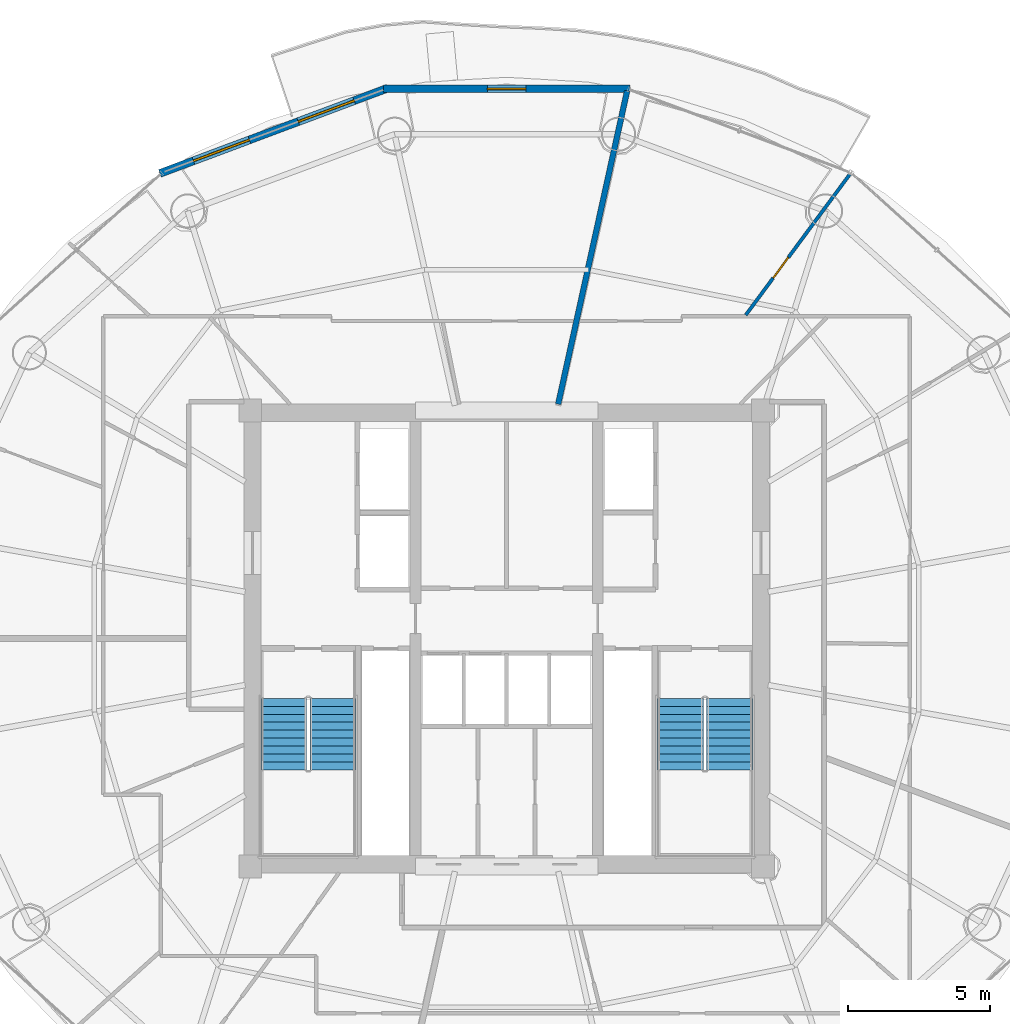
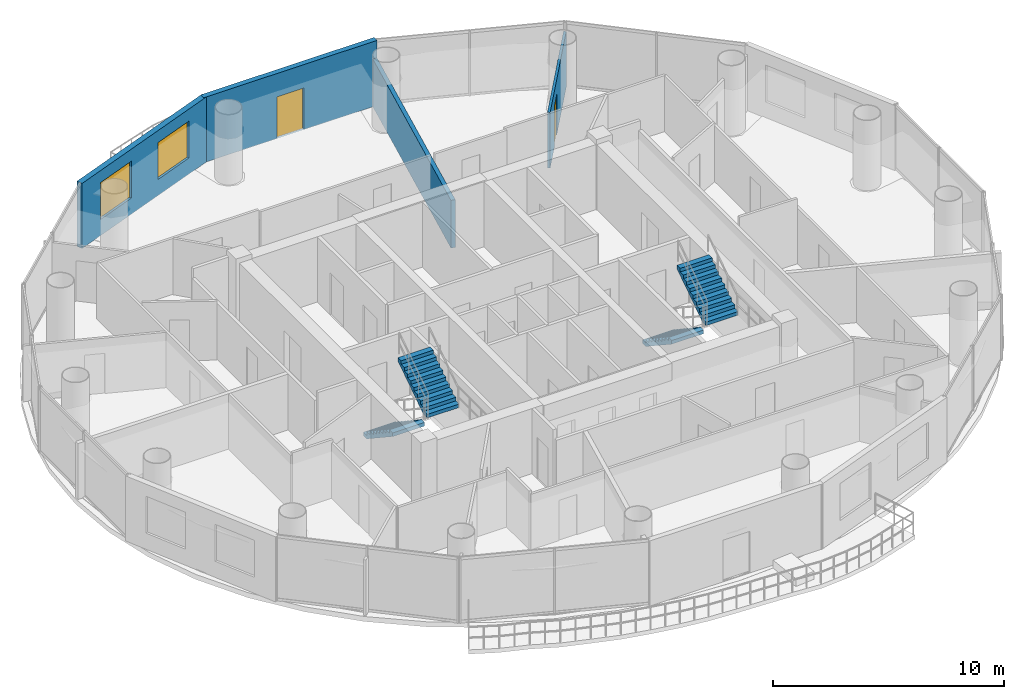
# One storey, part 23 of 26: 4 stair flights, 4 walls, 2 doors, 2 windows, 4 openings, 2 elements without a shape of their own.
"""IFC4 building model written with IfcOpenShell, lengths in metres."""

from ifc_helpers import new_model, si_unit, direction, frame, frame_2d, origin, place, context, subcontext, project, spatial, polyline, rectangle, outline, extrude, source, transform, mapped, material, layer, layer_set, type_object, element, fill, aggregate, save


model = new_model("IFC4")

# Units and contexts
model_context = context("Model", 3, precision=1e-05, world=origin(), true_north=direction((-0.2419218956, 0.970295726276)))
body_context = subcontext(model_context, "Body", "Model", "MODEL_VIEW")
ifc_project = project(units=[si_unit("LENGTHUNIT", "METRE"), si_unit("AREAUNIT", "SQUARE_METRE"), si_unit("VOLUMEUNIT", "CUBIC_METRE"), si_unit("PLANEANGLEUNIT", "RADIAN"), si_unit("MASSUNIT", "GRAM", prefix="KILO")], contexts=[model_context])

# Site, building, storey
site_placement = place(None, origin())
site = spatial("IfcSite", under=ifc_project, at=site_placement, CompositionType="ELEMENT")
building_placement = place(site_placement, origin())
building = spatial("IfcBuilding", under=site, at=building_placement, Name="Cobrevalo Terracotta Tower", CompositionType="ELEMENT")
storey_placement = place(building_placement, frame((0.0, 0.0, 235.60009765625)))
storey = spatial("IfcBuildingStorey", under=building, at=storey_placement, Name="L62", CompositionType="ELEMENT", Elevation=235.60009765625)

# Wall
ifc_material_1 = material(Name="Autoclaved aerated concrete block", Category="concrete")
ifc_layer_1 = layer(ifc_material_1, 0.199951171875)
ifc_layer_set_1 = layer_set([ifc_layer_1], Name="Autoclaved aerated concrete block")
wall_type_1 = type_object("IfcWallType", Name="Fire-rated stair, shaft & demising masonry wall 200 mm", PredefinedType="PARTITIONING", material=ifc_layer_set_1)
wall_1_placement = place(storey_placement, frame((39.810791015625, 35.02685546875, 0.0), z_axis=(0.0, 0.0, 1.0), x_axis=(0.214966857327, 0.976621344356, 0.0)))
element("IfcWall", 1, at=wall_1_placement, inside=storey, type_object=wall_type_1, Name="L62 interior partition IW-L62-DEM-2", PredefinedType="PARTITIONING", context=body_context, shape_type="SweptSolid", body=[
    extrude(rectangle(XDim=11.25830078125, YDim=0.199951171875, at=frame_2d((5.629150390625, 0.0))), origin(), (0.0, 0.0, 1.0), 2.52001953125),
])

# Wall, openings, windows
ifc_layer_2 = layer(ifc_material_1, 0.280029296875)
ifc_layer_set_2 = layer_set([ifc_layer_2], Name="Autoclaved aerated concrete block")
wall_type_2 = type_object("IfcWallType", Name="Insulated tower spandrel & pier wall 280 mm with terracotta rainscreen", PredefinedType="SOLIDWALL", material=ifc_layer_set_2)
wall_2_placement = place(storey_placement, frame((33.827880859375, 46.1201171875, 0.0), z_axis=(0.0, 0.0, 1.0), x_axis=(-0.936556918375, -0.350515532672, 0.0)))
wall_2 = element("IfcWall", 2, at=wall_2_placement, inside=storey, type_object=wall_type_2, Name="L62 terracotta rainscreen pier wall S05", PredefinedType="SOLIDWALL", context=body_context, shape_type="SweptSolid", body=[
    extrude(rectangle(XDim=8.539306640625, YDim=0.280029296875, at=frame_2d((4.26953125, 0.0))), origin(), (0.0, 0.0, 1.0), 3.434814453125),
])
opening_1_placement = place(wall_2_placement, frame((1.255615234375, 0.0, 0.85009765625)))
opening_1 = element("IfcOpeningElement", 3, at=opening_1_placement, cuts=wall_2, Name="Opening WN-10", PredefinedType="OPENING", context=body_context, shape_type="SweptSolid", body=[
    extrude(rectangle(XDim=2.10009765625, YDim=1.949951171875, at=frame_2d((1.050048828125, 0.97509765625))), frame((0.0, 0.14990234375, 0.0), z_axis=(0.0, -1.0, 0.0), x_axis=(1.0, 0.0, 0.0)), (0.0, 0.0, 1.0), 0.300048828125),
])
opening_2_placement = place(wall_2_placement, frame((5.18359375, 0.0, 0.85009765625)))
opening_2 = element("IfcOpeningElement", 4, at=opening_2_placement, cuts=wall_2, Name="Opening WN-10", PredefinedType="OPENING", context=body_context, shape_type="SweptSolid", body=[
    extrude(rectangle(XDim=2.10009765625, YDim=1.949951171875, at=frame_2d((1.050048828125, 0.97509765625))), frame((0.0, 0.14990234375, 0.0), z_axis=(0.0, -1.0, 0.0), x_axis=(1.0, 0.0, 0.0)), (0.0, 0.0, 1.0), 0.300048828125),
])
ifc_material_2 = material(Name="Solar-control low-E double glazing", Category="glass")
window_type = type_object("IfcWindowType", Name="Wide panoramic low-E aluminium window 2100x1950", PartitioningType="SINGLE_PANEL", PredefinedType="WINDOW", material=ifc_material_2)
shared_shape_1 = source(origin(), body_context, "Body", "SweptSolid", [
    extrude(rectangle(XDim=2.10009765625, YDim=1.949951171875, at=frame_2d((1.050048828125, 0.97509765625))), frame((0.0, 0.030029296875, 0.0), z_axis=(0.0, -1.0, 0.0), x_axis=(1.0, 0.0, 0.0)), (0.0, 0.0, 1.0), 0.06005859375),
])
window_1_placement = place(opening_1_placement, origin())
window_1 = element("IfcWindow", 5, at=window_1_placement, inside=storey, type_object=window_type, Name="L62 suite window S05A", OverallHeight=1.949951171875, OverallWidth=2.10009765625, PartitioningType="SINGLE_PANEL", PredefinedType="WINDOW", context=body_context, shape_type="MappedRepresentation", body=[
    mapped(shared_shape_1, transform((0.0, 0.0, 0.0), scale=1.0)),
])
fill(opening_1, window_1)
window_2_placement = place(opening_2_placement, origin())
window_2 = element("IfcWindow", 6, at=window_2_placement, inside=storey, type_object=window_type, Name="L62 suite window S05B", OverallHeight=1.949951171875, OverallWidth=2.10009765625, PartitioningType="SINGLE_PANEL", PredefinedType="WINDOW", context=body_context, shape_type="MappedRepresentation", body=[
    mapped(shared_shape_1, transform((0.0, 0.0, 0.0), scale=1.0)),
])
fill(opening_2, window_2)

# Wall, opening, door
ifc_layer_3 = layer(ifc_material_1, 0.260009765625)
ifc_layer_set_3 = layer_set([ifc_layer_3], Name="Autoclaved aerated concrete block")
wall_type_3 = type_object("IfcWallType", Name="Recessed balcony loggia insulated exterior wall 260 mm", PredefinedType="SOLIDWALL", material=ifc_layer_set_3)
wall_3_placement = place(storey_placement, frame((42.3271484375, 46.092041015625, 0.0), z_axis=(0.0, 0.0, 1.0), x_axis=(-1.0, 0.0, 0.0)))
wall_3 = element("IfcWall", 7, at=wall_3_placement, inside=storey, type_object=wall_type_3, Name="L62 balcony loggia wall S04", PredefinedType="SOLIDWALL", context=body_context, shape_type="SweptSolid", body=[
    extrude(rectangle(XDim=8.654296875, YDim=0.260009765625, at=frame_2d((4.3271484375, 0.0))), origin(), (0.0, 0.0, 1.0), 3.434814453125),
])
opening_3_placement = place(wall_3_placement, frame((3.652099609375, 0.0, 0.0)))
opening_3 = element("IfcOpeningElement", 8, at=opening_3_placement, cuts=wall_3, Name="Opening ED-05", PredefinedType="OPENING", context=body_context, shape_type="SweptSolid", body=[
    extrude(rectangle(XDim=1.35009765625, YDim=2.199951171875, at=frame_2d((0.675048828125, 1.10009765625))), frame((0.0, 0.14013671875, 0.0), z_axis=(0.0, -1.0, 0.0), x_axis=(1.0, 0.0, 0.0)), (0.0, 0.0, 1.0), 0.280029296875),
])
ifc_material_3 = material(Name="Anodized aluminium and laminated glass", Category="aluminium")
door_type_1 = type_object("IfcDoorType", Name="Suite balcony acoustic glazed terrace door 1350x2200", OperationType="NOTDEFINED", PredefinedType="DOOR", material=ifc_material_3)
shared_shape_2 = source(origin(), body_context, "Body", "SweptSolid", [
    extrude(rectangle(XDim=1.35009765625, YDim=2.199951171875, at=frame_2d((0.675048828125, 1.10009765625))), frame((0.0, 0.02490234375, 0.0), z_axis=(0.0, -1.0, 0.0), x_axis=(1.0, 0.0, 0.0)), (0.0, 0.0, 1.0), 0.050048828125),
])
door_1_placement = place(opening_3_placement, frame((1.35009765625, 0.0, 0.0), z_axis=(0.0, 0.0, 1.0), x_axis=(-1.0, 0.0, 0.0)))
door_1 = element("IfcDoor", 9, at=door_1_placement, inside=storey, type_object=door_type_1, Name="L62 glazed balcony terrace door 1", OperationType="SINGLE_SWING_LEFT", OverallHeight=2.199951171875, OverallWidth=1.35009765625, PredefinedType="DOOR", context=body_context, shape_type="MappedRepresentation", body=[
    mapped(shared_shape_2, transform((0.0, 0.0, 0.0), scale=1.0)),
])
fill(opening_3, door_1)

ifc_material_4 = material(Name="Gypsum board on steel stud", Category="steel")
ifc_layer_4 = layer(ifc_material_4, 0.1201171875)
ifc_layer_set_4 = layer_set([ifc_layer_4], Name="Gypsum board on steel stud")
wall_type_4 = type_object("IfcWallType", Name="Residential internal acoustic stud partition 120 mm", PredefinedType="PARTITIONING", material=ifc_layer_set_4)
wall_4_placement = place(storey_placement, frame((46.395751953125, 38.15478515625, 0.0), z_axis=(0.0, 0.0, 1.0), x_axis=(0.594526205526, 0.804076234535, 0.0)))
wall_4 = element("IfcWall", 10, at=wall_4_placement, inside=storey, type_object=wall_type_4, Name="L62 interior partition IW-L62-U1-ORAD2M1", PredefinedType="PARTITIONING", context=body_context, shape_type="SweptSolid", body=[
    extrude(rectangle(XDim=6.145751953125, YDim=0.1201171875, at=frame_2d((3.07275390625, 0.0))), origin(), (0.0, 0.0, 1.0), 2.950927734375),
])
opening_4_placement = place(wall_4_placement, frame((1.615234375, 0.0, 0.0)))
opening_4 = element("IfcOpeningElement", 11, at=opening_4_placement, cuts=wall_4, Name="Opening ID-12", PredefinedType="OPENING", context=body_context, shape_type="SweptSolid", body=[
    extrude(rectangle(XDim=0.89990234375, YDim=2.14990234375, at=frame_2d((0.449951171875, 1.074951171875))), frame((0.0, 0.070068359375, 0.0), z_axis=(0.0, -1.0, 0.0), x_axis=(1.0, 0.0, 0.0)), (0.0, 0.0, 1.0), 0.14013671875),
])
ifc_material_5 = material(Name="Engineered timber", Category="wood")
door_type_2 = type_object("IfcDoorType", Name="Internal residence & suite timber door 900x2150", OperationType="NOTDEFINED", PredefinedType="DOOR", material=ifc_material_5)
shared_shape_3 = source(origin(), body_context, "Body", "SweptSolid", [
    extrude(rectangle(XDim=0.89990234375, YDim=2.14990234375, at=frame_2d((0.449951171875, 1.074951171875))), frame((0.0, 0.02490234375, 0.0), z_axis=(0.0, -1.0, 0.0), x_axis=(1.0, 0.0, 0.0)), (0.0, 0.0, 1.0), 0.050048828125),
])
door_2_placement = place(opening_4_placement, origin())
door_2 = element("IfcDoor", 12, at=door_2_placement, inside=storey, type_object=door_type_2, Name="Flat L62A Penthouse Family Lounge internal door", OperationType="SINGLE_SWING_LEFT", OverallHeight=2.14990234375, OverallWidth=0.89990234375, PredefinedType="DOOR", context=body_context, shape_type="MappedRepresentation", body=[
    mapped(shared_shape_3, transform((0.0, 0.0, 0.0), scale=1.0)),
])
fill(opening_4, door_2)

# Stair, stair flights
ifc_material_6 = material(Name="Concrete C50", Category="concrete")
stair_type = type_object("IfcStairType", Name="Core protected escape dogleg stair 1600", PredefinedType="HALF_TURN_STAIR", material=ifc_material_6)
stair_1_placement = place(storey_placement, origin())
stair_1 = element("IfcStair", 13, at=stair_1_placement, inside=storey, type_object=stair_type, Name="L62 Protected exit stair ST-1", PredefinedType="HALF_TURN_STAIR")
stair_flight_type = type_object("IfcStairFlightType", Name="Core protected escape dogleg stair 1600 flight", PredefinedType="STRAIGHT", material=ifc_material_6)
stair_flight_1_placement = place(storey_placement, frame((30.175048828125, 24.699951171875, 0.0), z_axis=(0.0, 0.0, 1.0), x_axis=(0.0, -1.0, 0.0)))
stair_flight_1 = element("IfcStairFlight", 14, at=stair_flight_1_placement, type_object=stair_flight_type, Name="ST-1 flight 1", NumberOfRisers=10, NumberOfTreads=9, PredefinedType="STRAIGHT", RiserHeight=0.185, TreadLength=0.28, context=body_context, shape_type="SweptSolid", body=[
    extrude(outline(polyline([(0.0, 0.0), (0.0, 0.18505859375), (0.280029296875, 0.18505859375), (0.280029296875, 0.3701171875), (0.56005859375, 0.3701171875), (0.56005859375, 0.554931640625), (0.840087890625, 0.554931640625), (0.840087890625, 0.739990234375), (1.1201171875, 0.739990234375), (1.1201171875, 0.925048828125), (1.39990234375, 0.925048828125), (1.39990234375, 1.110107421875), (1.679931640625, 1.110107421875), (1.679931640625, 1.294921875), (1.9599609375, 1.294921875), (1.9599609375, 1.47998046875), (2.239990234375, 1.47998046875), (2.239990234375, 1.6650390625), (2.52001953125, 1.6650390625), (2.52001953125, 1.85009765625), (2.52001953125, 1.473388671875), (0.2900390625, 0.0), (0.0, 0.0)])), frame((0.0, 0.800048828125, 0.0), z_axis=(0.0, -1.0, 0.0), x_axis=(1.0, 0.0, 0.0)), (0.0, 0.0, 1.0), 1.60009765625),
])
stair_flight_2_placement = place(storey_placement, frame((31.89501953125, 22.179931640625, 1.849853515625), z_axis=(0.0, 0.0, 1.0), x_axis=(0.0, 1.0, 0.0)))
stair_flight_2 = element("IfcStairFlight", 15, at=stair_flight_2_placement, type_object=stair_flight_type, Name="ST-1 flight 2", NumberOfRisers=10, NumberOfTreads=9, PredefinedType="STRAIGHT", RiserHeight=0.185, TreadLength=0.28, context=body_context, shape_type="SweptSolid", body=[
    extrude(outline(polyline([(0.0, 0.0), (0.0, 0.18505859375), (0.280029296875, 0.18505859375), (0.280029296875, 0.3701171875), (0.56005859375, 0.3701171875), (0.56005859375, 0.554931640625), (0.840087890625, 0.554931640625), (0.840087890625, 0.739990234375), (1.1201171875, 0.739990234375), (1.1201171875, 0.925048828125), (1.39990234375, 0.925048828125), (1.39990234375, 1.110107421875), (1.679931640625, 1.110107421875), (1.679931640625, 1.294921875), (1.9599609375, 1.294921875), (1.9599609375, 1.47998046875), (2.239990234375, 1.47998046875), (2.239990234375, 1.6650390625), (2.52001953125, 1.6650390625), (2.52001953125, 1.85009765625), (2.52001953125, 1.473388671875), (0.2900390625, 0.0), (0.0, 0.0)])), frame((0.0, 0.800048828125, 0.0), z_axis=(0.0, -1.0, 0.0), x_axis=(1.0, 0.0, 0.0)), (0.0, 0.0, 1.0), 1.60009765625),
])
aggregate(stair_1, [stair_flight_1, stair_flight_2])

stair_2_placement = place(storey_placement, origin())
stair_2 = element("IfcStair", 16, at=stair_2_placement, inside=storey, type_object=stair_type, Name="L62 Protected exit stair ST-2", PredefinedType="HALF_TURN_STAIR")
stair_flight_3_placement = place(storey_placement, frame((44.10498046875, 24.699951171875, 0.0), z_axis=(0.0, 0.0, 1.0), x_axis=(0.0, -1.0, 0.0)))
stair_flight_3 = element("IfcStairFlight", 17, at=stair_flight_3_placement, type_object=stair_flight_type, Name="ST-2 flight 1", NumberOfRisers=10, NumberOfTreads=9, PredefinedType="STRAIGHT", RiserHeight=0.185, TreadLength=0.28, context=body_context, shape_type="SweptSolid", body=[
    extrude(outline(polyline([(0.0, 0.0), (0.0, 0.18505859375), (0.280029296875, 0.18505859375), (0.280029296875, 0.3701171875), (0.56005859375, 0.3701171875), (0.56005859375, 0.554931640625), (0.840087890625, 0.554931640625), (0.840087890625, 0.739990234375), (1.1201171875, 0.739990234375), (1.1201171875, 0.925048828125), (1.39990234375, 0.925048828125), (1.39990234375, 1.110107421875), (1.679931640625, 1.110107421875), (1.679931640625, 1.294921875), (1.9599609375, 1.294921875), (1.9599609375, 1.47998046875), (2.239990234375, 1.47998046875), (2.239990234375, 1.6650390625), (2.52001953125, 1.6650390625), (2.52001953125, 1.85009765625), (2.52001953125, 1.473388671875), (0.2900390625, 0.0), (0.0, 0.0)])), frame((0.0, 0.800048828125, 0.0), z_axis=(0.0, -1.0, 0.0), x_axis=(1.0, 0.0, 0.0)), (0.0, 0.0, 1.0), 1.60009765625),
])
stair_flight_4_placement = place(storey_placement, frame((45.824951171875, 22.179931640625, 1.849853515625), z_axis=(0.0, 0.0, 1.0), x_axis=(0.0, 1.0, 0.0)))
stair_flight_4 = element("IfcStairFlight", 18, at=stair_flight_4_placement, type_object=stair_flight_type, Name="ST-2 flight 2", NumberOfRisers=10, NumberOfTreads=9, PredefinedType="STRAIGHT", RiserHeight=0.185, TreadLength=0.28, context=body_context, shape_type="SweptSolid", body=[
    extrude(outline(polyline([(0.0, 0.0), (0.0, 0.18505859375), (0.280029296875, 0.18505859375), (0.280029296875, 0.3701171875), (0.56005859375, 0.3701171875), (0.56005859375, 0.554931640625), (0.840087890625, 0.554931640625), (0.840087890625, 0.739990234375), (1.1201171875, 0.739990234375), (1.1201171875, 0.925048828125), (1.39990234375, 0.925048828125), (1.39990234375, 1.110107421875), (1.679931640625, 1.110107421875), (1.679931640625, 1.294921875), (1.9599609375, 1.294921875), (1.9599609375, 1.47998046875), (2.239990234375, 1.47998046875), (2.239990234375, 1.6650390625), (2.52001953125, 1.6650390625), (2.52001953125, 1.85009765625), (2.52001953125, 1.473388671875), (0.2900390625, 0.0), (0.0, 0.0)])), frame((0.0, 0.800048828125, 0.0), z_axis=(0.0, -1.0, 0.0), x_axis=(1.0, 0.0, 0.0)), (0.0, 0.0, 1.0), 1.60009765625),
])
aggregate(stair_2, [stair_flight_3, stair_flight_4])

save(model, "model.ifc")
